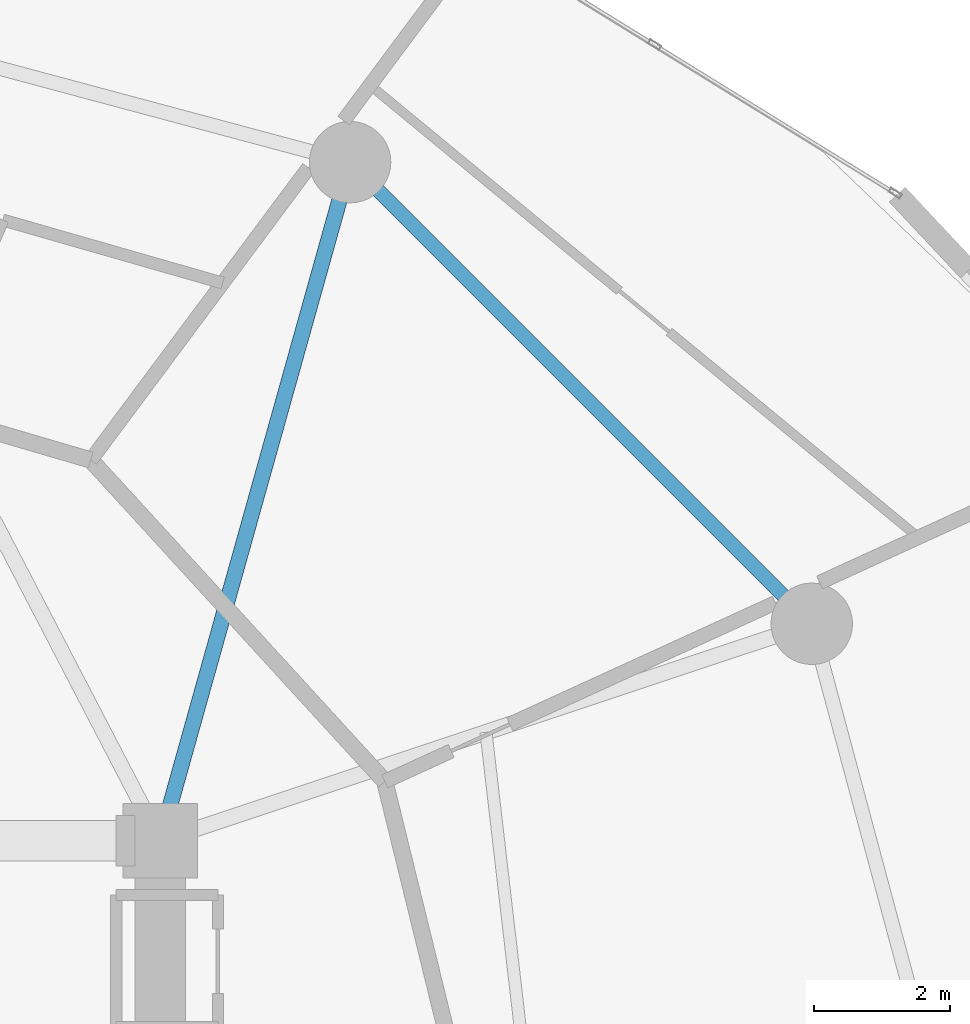
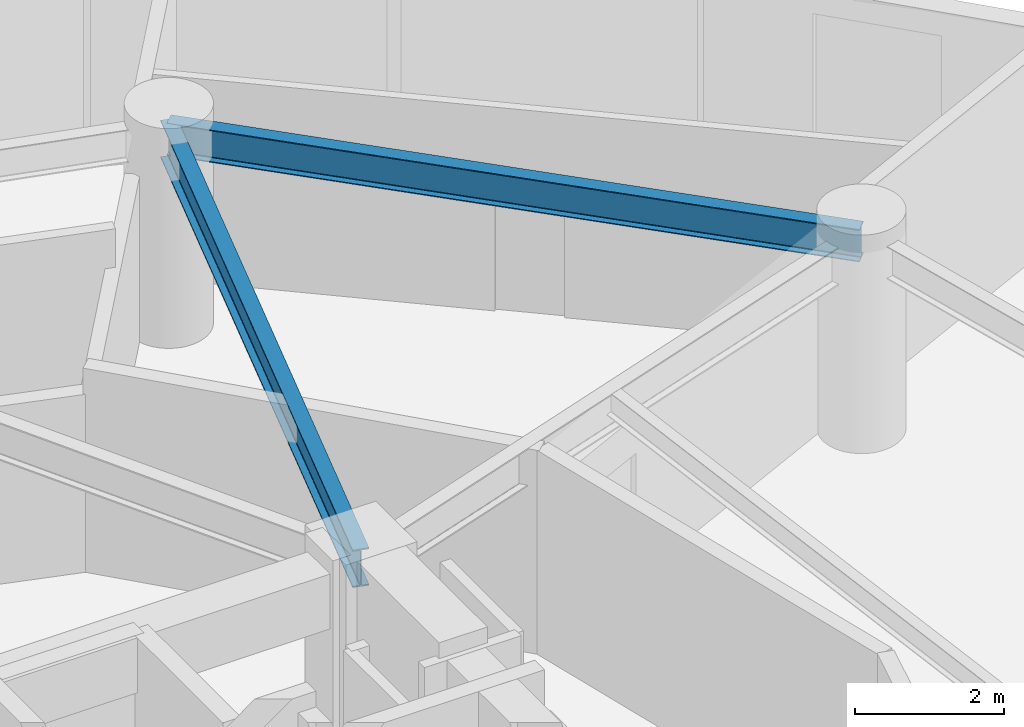
# One storey, part 16 of 24: 2 beams.
"""IFC4 building model written with IfcOpenShell, lengths in metres."""

from ifc_helpers import new_model, si_unit, direction, frame, origin, origin_2d, place, context, subcontext, project, spatial, i_section, extrude, material, material_profile, profile_set, type_object, element, save


model = new_model("IFC4")

# Units and contexts
model_context = context("Model", 3, precision=1e-05, world=origin(), true_north=direction((0.0, 1.0)))
body_context = subcontext(model_context, "Body", "Model", "MODEL_VIEW")
ifc_project = project(units=[si_unit("LENGTHUNIT", "METRE"), si_unit("AREAUNIT", "SQUARE_METRE"), si_unit("VOLUMEUNIT", "CUBIC_METRE"), si_unit("PLANEANGLEUNIT", "RADIAN"), si_unit("MASSUNIT", "GRAM", prefix="KILO")], contexts=[model_context])

# Site, building, storey
site_placement = place(None, origin())
site = spatial("IfcSite", under=ifc_project, at=site_placement, CompositionType="ELEMENT")
building_placement = place(site_placement, origin())
building = spatial("IfcBuilding", under=site, at=building_placement, Name="Solvirekh Grand Hotel", CompositionType="ELEMENT")
storey_placement = place(building_placement, frame((0.0, 0.0, 86.0)))
storey = spatial("IfcBuildingStorey", under=building, at=storey_placement, Name="L21", CompositionType="ELEMENT", Elevation=86.0)

# Beams
ifc_material = material(Name="Steel S355", Category="steel")
ifc_material_profile_1 = material_profile(ifc_material, i_section(OverallWidth=0.22802734375, OverallDepth=0.616943359375, WebThickness=0.012939453125, FlangeThickness=0.02001953125, FilletRadius=0.014892578125, at=origin_2d()), Name="W610X140")
ifc_profile_set_1 = profile_set([ifc_material_profile_1], Name="Steel S355")
beam_type_1 = type_object("IfcBeamType", Name="Beam_Radial_W610", PredefinedType="BEAM", material=ifc_profile_set_1)
beam_1_placement = place(storey_placement, frame((6.5, 6.10009765625, 3.031982421875), z_axis=(0.269439084681, 0.963017434757, 0.0), x_axis=(-0.963017434757, 0.269439084681, 0.0)))
element("IfcBeam", 1, at=beam_1_placement, inside=storey, type_object=beam_type_1, Name="L21 radial floor beam R03", PredefinedType="BEAM", context=body_context, shape_type="SweptSolid", body=[
    extrude(i_section(OverallWidth=0.22802734375, OverallDepth=0.616943359375, WebThickness=0.012939453125, FlangeThickness=0.02001953125, FilletRadius=0.014892578125, at=origin_2d()), origin(), (0.0, 0.0, 1.0), 10.39208984375),
])
ifc_material_profile_2 = material_profile(ifc_material, i_section(OverallWidth=0.208984375, OverallDepth=0.532958984375, WebThickness=0.010009765625, FlangeThickness=0.014892578125, FilletRadius=0.013916015625, at=origin_2d()), Name="W530X92")
ifc_profile_set_2 = profile_set([ifc_material_profile_2], Name="Steel S355")
beam_type_2 = type_object("IfcBeamType", Name="Spandrel_Ring_W530", PredefinedType="SPANDREL", material=ifc_profile_set_2)
beam_2_placement = place(storey_placement, frame((16.10791015625, 9.300048828125, 3.073974609375), z_axis=(-0.707106781187, 0.707106781187, 0.0), x_axis=(-0.707106781187, -0.707106781187, 0.0)))
element("IfcBeam", 2, at=beam_2_placement, inside=storey, type_object=beam_type_2, Name="L21 perimeter spandrel beam 2", PredefinedType="SPANDREL", context=body_context, shape_type="SweptSolid", body=[
    extrude(i_section(OverallWidth=0.208984375, OverallDepth=0.532958984375, WebThickness=0.010009765625, FlangeThickness=0.014892578125, FilletRadius=0.013916015625, at=origin_2d()), origin(), (0.0, 0.0, 1.0), 9.627685546875),
])

save(model, "model.ifc")
